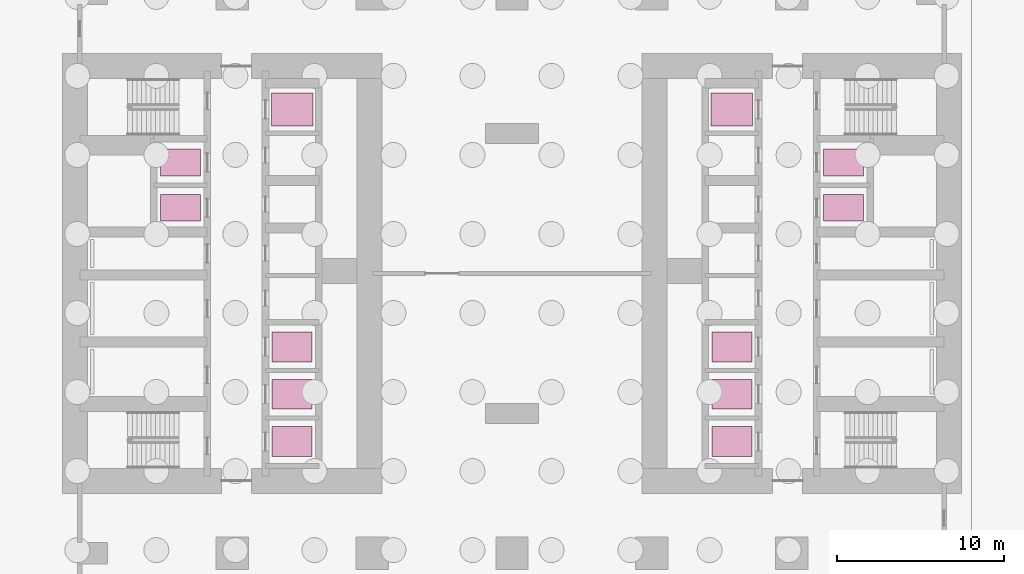
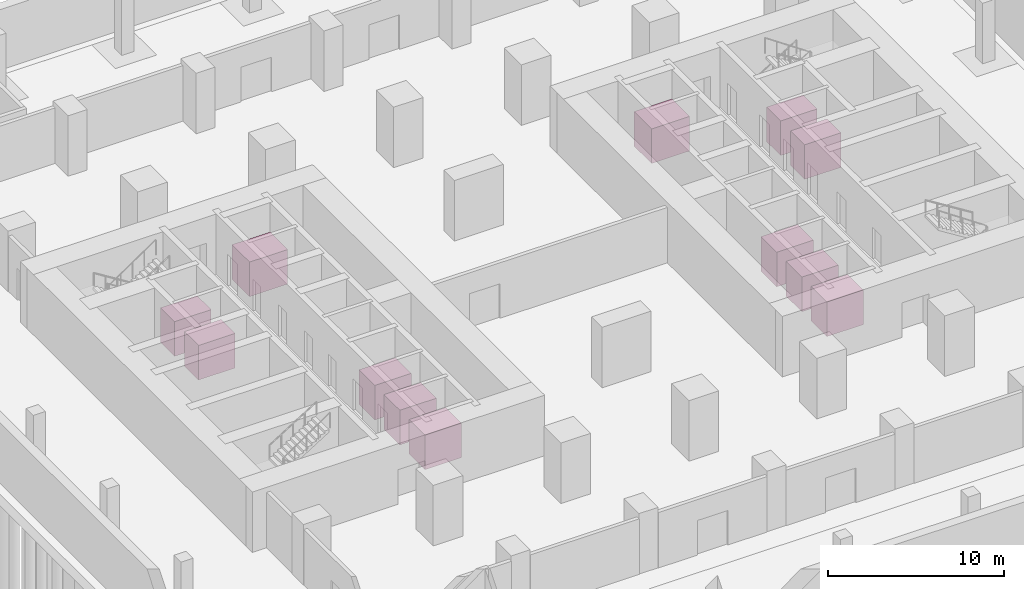
# One storey, part 11 of 11: 12 transport elements.
"""IFC4 building model written with IfcOpenShell, lengths in metres."""

import ifcopenshell
import ifcopenshell.guid

model = None  # the IFC model being written
_history = None  # IfcOwnerHistory: only IFC2X3 demands one
_inside = {}  # id of a spatial element -> (the spatial element, [elements in it])
_under = {}  # id of a project, library or spatial element -> (it, [spatial elements below it])
_declared = {}  # id of a project -> (the project, [libraries it declares])
_typed = {}  # id of a type object -> (the type object, [elements of that type])
_made_of = {}  # id of a material, layer set ... -> (it, [elements and type objects made of it])


def new_model(schema):
    """Start an empty IFC model of exactly this schema.

    Asked for "IFC4X3", IfcOpenShell would pick the latest addendum, in which some entities
    have other attributes; the version numbers below select the first issue.
    IFC2X3 requires an IfcOwnerHistory on every rooted entity: one is made here for all.
    """
    global model, _history
    if schema == "IFC4X3":
        model = ifcopenshell.file(schema_version=(4, 3, 0, 0))
    else:
        model = ifcopenshell.file(schema=schema)
    _inside.clear()
    _under.clear()
    _declared.clear()
    _typed.clear()
    _made_of.clear()
    _history = None
    if model.schema == "IFC2X3":
        org = make("IfcOrganization", Name="unknown")
        user = make(
            "IfcPersonAndOrganization",
            ThePerson=make("IfcPerson", FamilyName="unknown"),
            TheOrganization=org,
        )
        app = make(
            "IfcApplication",
            ApplicationDeveloper=org,
            Version="unknown",
            ApplicationFullName="unknown",
            ApplicationIdentifier="unknown",
        )
        _history = make(
            "IfcOwnerHistory",
            OwningUser=user,
            OwningApplication=app,
            ChangeAction="ADDED",
            CreationDate=0,
        )
    return model


def make(cls, **values):
    """One entity of the class cls with the attributes given. An attribute that is None is left unset."""
    return model.create_entity(
        cls, **{name: value for name, value in values.items() if value is not None}
    )


def rooted(cls, **values):
    """An entity with a GlobalId (a new one), such as an element, a storey or a relation."""
    return make(cls, GlobalId=ifcopenshell.guid.new(), OwnerHistory=_history, **values)


def si_unit(unit_type, name, prefix=None):
    """IfcSIUnit, for example si_unit("LENGTHUNIT", "METRE", prefix="MILLI")."""
    return make("IfcSIUnit", UnitType=unit_type, Prefix=prefix, Name=name)


def assignment(units):
    """IfcUnitAssignment: the units of a project."""
    return None if units is None else make("IfcUnitAssignment", Units=units)


def point(xyz):
    """IfcCartesianPoint."""
    return None if xyz is None else make("IfcCartesianPoint", Coordinates=xyz)


def direction(xyz):
    """IfcDirection."""
    return None if xyz is None else make("IfcDirection", DirectionRatios=xyz)


def frame(location, z_axis=None, x_axis=None):
    """IfcAxis2Placement3D, a coordinate frame: its origin and axes. An axis left out is left unset."""
    return make(
        "IfcAxis2Placement3D",
        Location=point(location),
        Axis=direction(z_axis),
        RefDirection=direction(x_axis),
    )


def frame_2d(location, x_axis=None):
    """IfcAxis2Placement2D, a coordinate frame in the plane: its origin and x axis."""
    return make(
        "IfcAxis2Placement2D", Location=point(location), RefDirection=direction(x_axis)
    )


def origin():
    """The frame at (0, 0, 0) with its axes left unset."""
    return frame((0.0, 0.0, 0.0))


def origin_2d():
    """The frame at (0, 0) in the plane with its x axis left unset."""
    return frame_2d((0.0, 0.0))


def place(relative_to, where):
    """IfcLocalPlacement: puts the frame where relative to a parent placement (None: the world)."""
    return make(
        "IfcLocalPlacement", PlacementRelTo=relative_to, RelativePlacement=where
    )


def context(
    kind, dimensions, precision=None, world=None, true_north=None, identifier=None
):
    """IfcGeometricRepresentationContext, for example the 3D "Model" context."""
    return make(
        "IfcGeometricRepresentationContext",
        ContextIdentifier=identifier,
        ContextType=kind,
        CoordinateSpaceDimension=dimensions,
        Precision=precision,
        WorldCoordinateSystem=world,
        TrueNorth=true_north,
    )


def subcontext(parent, identifier, kind, view, scale=None):
    """IfcGeometricRepresentationSubContext, for example "Body" below "Model"."""
    return make(
        "IfcGeometricRepresentationSubContext",
        ContextIdentifier=identifier,
        ContextType=kind,
        ParentContext=parent,
        TargetScale=scale,
        TargetView=view,
    )


def project(units=None, contexts=None):
    """IfcProject with its units and contexts."""
    return rooted(
        "IfcProject",
        Name="project",
        RepresentationContexts=contexts,
        UnitsInContext=assignment(units),
    )


def spatial(cls, under=None, at=None, **own):
    """A site, building, storey or space (cls), placed at a placement, below another one or the project."""
    s = rooted(cls, ObjectPlacement=at, **own)
    if under is not None:
        _under.setdefault(under.id(), (under, []))[1].append(s)
    return s


def profile(cls, at=None, kind="AREA", **sizes):
    """A parametric profile (cls). Its sizes go by their IFC names, for example OverallWidth=200.0."""
    return make(cls, ProfileType=kind, Position=at, **sizes)


def rectangle(**sizes):
    """IfcRectangleProfileDef."""
    return profile("IfcRectangleProfileDef", **sizes)


def extrude(swept, where, along, depth):
    """IfcExtrudedAreaSolid: the profile swept, set in the frame where, extruded along a direction by depth."""
    return make(
        "IfcExtrudedAreaSolid",
        SweptArea=swept,
        Position=where,
        ExtrudedDirection=direction(along),
        Depth=depth,
    )


def shape(context_of_items, identifier, shape_type, items):
    """IfcShapeRepresentation: the items that make up one representation, for example the "Body"."""
    return make(
        "IfcShapeRepresentation",
        ContextOfItems=context_of_items,
        RepresentationIdentifier=identifier,
        RepresentationType=shape_type,
        Items=items,
    )


def material(Name=None, Category=None):
    """IfcMaterial."""
    return make("IfcMaterial", Name=Name, Category=Category)


def made_of(thing, what):
    """Note that an element or type object is made of a material, layer set ...; save() writes the relation."""
    if what is not None:
        _made_of.setdefault(what.id(), (what, []))[1].append(thing)
    return thing


def type_object(cls, material=None, **own):
    """A type object (cls), such as IfcWallType, which elements share."""
    return made_of(rooted(cls, **own), material)


def element(
    cls,
    number,
    at=None,
    inside=None,
    cuts=None,
    type_object=None,
    material=None,
    context=None,
    identifier="Body",
    shape_type=None,
    held_by="IfcProductDefinitionShape",
    body=None,
    shapes=None,
    **own,
):
    """One element of the class cls, such as IfcWall. Its Tag is "e" and its number.

    at: its placement. inside: the storey or other place that contains it. cuts: it is an
    opening in that element (IfcRelVoidsElement). A single representation is given by context,
    identifier, shape_type and body (its items); several are given by shapes. held_by: the class
    of the entity that holds the representations. save() writes the other relations.
    """
    e = rooted(cls, Tag="e%d" % number, ObjectPlacement=at, **own)
    if body is not None:
        shapes = [shape(context, identifier, shape_type, body)]
    if shapes is not None:
        e.Representation = make(held_by, Representations=shapes)
    if inside is not None:
        _inside.setdefault(inside.id(), (inside, []))[1].append(e)
    if cuts is not None:
        rooted(
            "IfcRelVoidsElement", RelatingBuildingElement=cuts, RelatedOpeningElement=e
        )
    if type_object is not None:
        _typed.setdefault(type_object.id(), (type_object, []))[1].append(e)
    return made_of(e, material)


def aggregate(whole, parts):
    """IfcRelAggregates: a whole, such as a stair, and the parts it consists of."""
    return rooted("IfcRelAggregates", RelatingObject=whole, RelatedObjects=parts)


def save(model, path):
    """Write the relations noted so far, then the file.

    IfcRelAggregates (storeys below a building ...), IfcRelContainedInSpatialStructure (elements
    in a storey), IfcRelDefinesByType, IfcRelAssociatesMaterial and IfcRelDeclares: one each for
    every whole, place, type object, material and project.
    """
    for whole, parts in _under.values():
        aggregate(whole, parts)
    for where, things in _inside.values():
        rooted(
            "IfcRelContainedInSpatialStructure",
            RelatedElements=things,
            RelatingStructure=where,
        )
    for kind, things in _typed.values():
        rooted("IfcRelDefinesByType", RelatedObjects=things, RelatingType=kind)
    for what, things in _made_of.values():
        rooted("IfcRelAssociatesMaterial", RelatedObjects=things, RelatingMaterial=what)
    for by, libraries in _declared.values():
        rooted("IfcRelDeclares", RelatingContext=by, RelatedDefinitions=libraries)
    model.write(path)


model = new_model("IFC4")

# Units and contexts
model_context = context("Model", 3, precision=1e-05, world=origin(), true_north=direction((0.0, 1.0)))
body_context = subcontext(model_context, "Body", "Model", "MODEL_VIEW")
ifc_project = project(units=[si_unit("LENGTHUNIT", "METRE"), si_unit("AREAUNIT", "SQUARE_METRE"), si_unit("VOLUMEUNIT", "CUBIC_METRE"), si_unit("PLANEANGLEUNIT", "RADIAN"), si_unit("MASSUNIT", "GRAM", prefix="KILO")], contexts=[model_context])

# Site, building, storey
site_placement = place(None, origin())
site = spatial("IfcSite", under=ifc_project, at=site_placement, CompositionType="ELEMENT")
building_placement = place(site_placement, origin())
building = spatial("IfcBuilding", under=site, at=building_placement, Name="Claustro Exchange Tower", CompositionType="ELEMENT")
storey_placement = place(building_placement, frame((0.0, 0.0, -8.39990234375)))
storey = spatial("IfcBuildingStorey", under=building, at=storey_placement, Name="B2", CompositionType="ELEMENT", Elevation=-8.39990234375)

# Transport elements
ifc_material_1 = material(Name="Stainless steel lift car", Category="steel")
transport_element_type_1 = type_object("IfcTransportElementType", Name="LC1 1800 x 2400 low lift car, 1350 kg", PredefinedType="ELEVATOR", material=ifc_material_1)
for number, where, name in (
    (1, (12.0, 15.10009765625, 0.0), "Lift LLW1"),
    (2, (12.0, 17.949951171875, 0.0), "Lift LLW2"),
    (3, (12.0, 20.800048828125, 0.0), "Lift LLW3"),
    (4, (38.39990234375, 15.10009765625, 0.0), "Lift LLE1"),
    (5, (38.39990234375, 17.949951171875, 0.0), "Lift LLE2"),
    (6, (38.39990234375, 20.800048828125, 0.0), "Lift LLE3"),
):
    element("IfcTransportElement", number, at=place(storey_placement, frame(where)), inside=storey, type_object=transport_element_type_1, Name=name, PredefinedType="ELEVATOR", context=body_context, shape_type="SweptSolid", body=[
        extrude(rectangle(XDim=2.39990234375, YDim=1.800048828125, at=origin_2d()), origin(), (0.0, 0.0, 1.0), 2.39990234375),
    ])
ifc_material_2 = material(Name="Stainless steel lift car", Category="steel")
transport_element_type_2 = type_object("IfcTransportElementType", Name="LC4 2000 x 2500 service lift car, 2000 kg", PredefinedType="ELEVATOR", material=ifc_material_2)
for number, where, name in (
    (7, (12.0, 35.050048828125, 0.0), "Lift LSW1"),
    (8, (38.39990234375, 35.050048828125, 0.0), "Lift LSE1"),
):
    element("IfcTransportElement", number, at=place(storey_placement, frame(where)), inside=storey, type_object=transport_element_type_2, Name=name, PredefinedType="ELEVATOR", context=body_context, shape_type="SweptSolid", body=[
        extrude(rectangle(XDim=2.5, YDim=2.0, at=origin_2d()), origin(), (0.0, 0.0, 1.0), 2.39990234375),
    ])
ifc_material_3 = material(Name="Stainless steel lift car", Category="steel")
transport_element_type_3 = type_object("IfcTransportElementType", Name="LC5 1600 x 2400 emergency lift car, 1275 kg", PredefinedType="ELEVATOR", material=ifc_material_3)
for number, where, name in (
    (9, (5.300048828125, 29.137451171875, 0.0), "Lift LEW1"),
    (10, (5.300048828125, 31.862548828125, 0.0), "Lift LEW2"),
    (11, (45.10009765625, 29.137451171875, 0.0), "Lift LEE1"),
    (12, (45.10009765625, 31.862548828125, 0.0), "Lift LEE2"),
):
    element("IfcTransportElement", number, at=place(storey_placement, frame(where)), inside=storey, type_object=transport_element_type_3, Name=name, PredefinedType="ELEVATOR", context=body_context, shape_type="SweptSolid", body=[
        extrude(rectangle(XDim=2.39990234375, YDim=1.60009765625, at=origin_2d()), origin(), (0.0, 0.0, 1.0), 2.39990234375),
    ])

save(model, "model.ifc")
